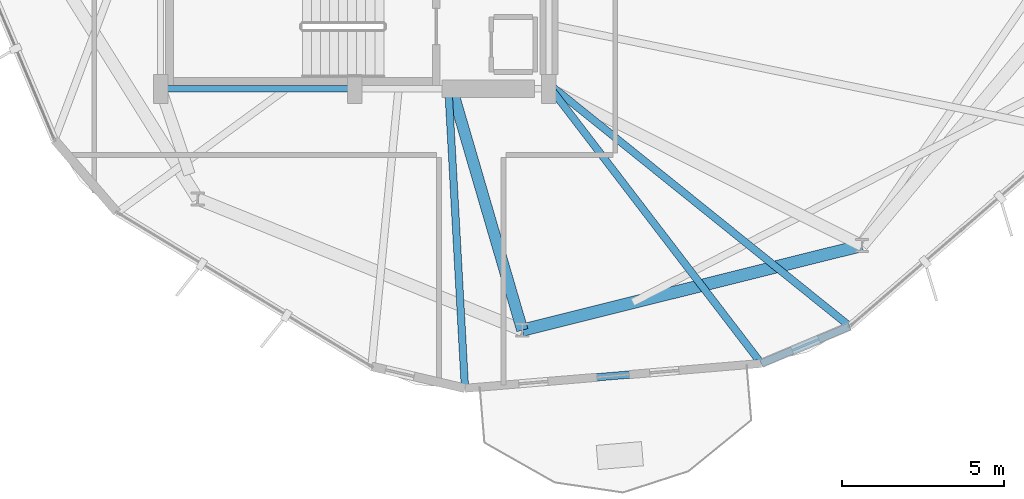
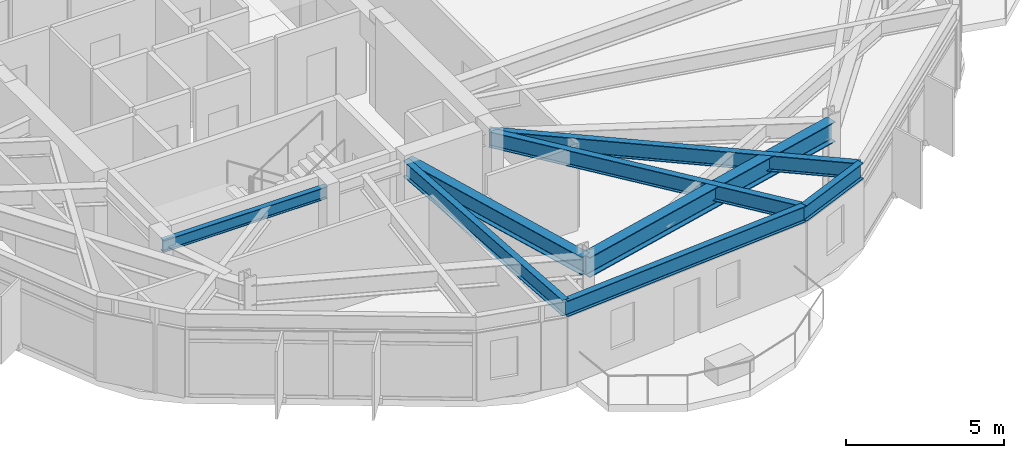
# One storey, part 4 of 27: 8 beams.
"""IFC4 building model written with IfcOpenShell, lengths in metres."""

from ifc_helpers import new_model, si_unit, direction, frame, origin, origin_2d, place, context, subcontext, project, spatial, i_section, extrude, material, material_profile, profile_set, type_object, element, save


model = new_model("IFC4")

# Units and contexts
model_context = context("Model", 3, precision=1e-05, world=origin(), true_north=direction((0.0, 1.0)))
body_context = subcontext(model_context, "Body", "Model", "MODEL_VIEW")
ifc_project = project(units=[si_unit("LENGTHUNIT", "METRE"), si_unit("AREAUNIT", "SQUARE_METRE"), si_unit("VOLUMEUNIT", "CUBIC_METRE"), si_unit("PLANEANGLEUNIT", "RADIAN"), si_unit("MASSUNIT", "GRAM", prefix="KILO")], contexts=[model_context])

# Site, building, storey
site_placement = place(None, origin())
site = spatial("IfcSite", under=ifc_project, at=site_placement, CompositionType="ELEMENT")
building_placement = place(site_placement, origin())
building = spatial("IfcBuilding", under=site, at=building_placement, Name="Soratama Intermodal Tower", CompositionType="ELEMENT")
storey_placement = place(building_placement, frame((0.0, 0.0, 182.199951171875)))
storey = spatial("IfcBuildingStorey", under=building, at=storey_placement, Name="L45", CompositionType="ELEMENT", Elevation=182.199951171875)

# Beams
ifc_material_1 = material(Name="Structural steel ASTM A992 Grade 50", Category="steel")
ifc_material_profile_1 = material_profile(ifc_material_1, i_section(OverallWidth=0.19091796875, OverallDepth=0.4599609375, WebThickness=0.010009765625, FlangeThickness=0.01611328125, FilletRadius=0.010986328125, at=origin_2d()), Name="W18X55")
ifc_profile_set_1 = profile_set([ifc_material_profile_1], Name="Structural steel ASTM A992 Grade 50")
beam_type_1 = type_object("IfcBeamType", Name="BM-FLR-W18X55", PredefinedType="BEAM", material=ifc_profile_set_1)
beam_1_placement = place(storey_placement, frame((32.60009765625, 15.0, 3.030029296875), z_axis=(1.0, 0.0, 0.0), x_axis=(0.0, 1.0, 0.0)))
element("IfcBeam", 1, at=beam_1_placement, inside=storey, type_object=beam_type_1, Name="BM-L45-CRING-01", PredefinedType="BEAM", context=body_context, shape_type="SweptSolid", body=[
    extrude(i_section(OverallWidth=0.19091796875, OverallDepth=0.4599609375, WebThickness=0.010009765625, FlangeThickness=0.01611328125, FilletRadius=0.010986328125, at=origin_2d()), origin(), (0.0, 0.0, 1.0), 6.0),
])
ifc_material_2 = material(Name="Structural steel ASTM A992 Grade 50", Category="steel")
ifc_material_profile_2 = material_profile(ifc_material_2, i_section(OverallWidth=0.35498046875, OverallDepth=0.695068359375, WebThickness=0.015380859375, FlangeThickness=0.02490234375, FilletRadius=0.01611328125, at=origin_2d()), Name="W27X146")
ifc_profile_set_2 = profile_set([ifc_material_profile_2], Name="Structural steel ASTM A992 Grade 50")
beam_type_2 = type_object("IfcBeamType", Name="BM-RING-W27X146", PredefinedType="BEAM", material=ifc_profile_set_2)
beam_2_placement = place(storey_placement, frame((41.60009765625, 15.0, 2.91259765625), z_axis=(0.280473008484, -0.959861912731, 0.0), x_axis=(0.959861912731, 0.280473008484, 0.0)))
element("IfcBeam", 2, at=beam_2_placement, inside=storey, type_object=beam_type_2, Name="BM-L45-RAD-08", PredefinedType="BEAM", context=body_context, shape_type="SweptSolid", body=[
    extrude(i_section(OverallWidth=0.35498046875, OverallDepth=0.695068359375, WebThickness=0.015380859375, FlangeThickness=0.02490234375, FilletRadius=0.01611328125, at=origin_2d()), origin(), (0.0, 0.0, 1.0), 7.768798828125),
])
ifc_material_3 = material(Name="Structural steel ASTM A992 Grade 50", Category="steel")
ifc_material_profile_3 = material_profile(ifc_material_3, i_section(OverallWidth=0.382080078125, OverallDepth=0.779052734375, WebThickness=0.01806640625, FlangeThickness=0.030029296875, FilletRadius=0.01806640625, at=origin_2d()), Name="W30X191")
ifc_profile_set_3 = profile_set([ifc_material_profile_3], Name="Structural steel ASTM A992 Grade 50")
beam_type_3 = type_object("IfcBeamType", Name="BM-RING-W30X191", PredefinedType="BEAM", material=ifc_profile_set_3)
beam_3_placement = place(storey_placement, frame((43.779052734375, 7.54296875, 2.87060546875), z_axis=(0.970310893227, 0.241861056155, 0.0), x_axis=(-0.241861056155, 0.970310893227, 0.0)))
element("IfcBeam", 3, at=beam_3_placement, inside=storey, type_object=beam_type_3, Name="BM-L45-RING-08", PredefinedType="BEAM", context=body_context, shape_type="SweptSolid", body=[
    extrude(i_section(OverallWidth=0.382080078125, OverallDepth=0.779052734375, WebThickness=0.01806640625, FlangeThickness=0.030029296875, FilletRadius=0.01806640625, at=origin_2d()), origin(), (0.0, 0.0, 1.0), 10.81591796875),
])
ifc_material_4 = material(Name="Structural steel ASTM A992 Grade 50", Category="steel")
ifc_material_profile_4 = material_profile(ifc_material_4, i_section(OverallWidth=0.22900390625, OverallDepth=0.612060546875, WebThickness=0.011962890625, FlangeThickness=0.01953125, FilletRadius=0.012939453125, at=origin_2d()), Name="W24X84")
ifc_profile_set_4 = profile_set([ifc_material_profile_4], Name="Structural steel ASTM A992 Grade 50")
beam_type_4 = type_object("IfcBeamType", Name="BM-SPN-W24X84", PredefinedType="SPANDREL", material=ifc_profile_set_4)
beam_4_placement = place(storey_placement, frame((42.007080078125, 5.742919921875, 2.9541015625), z_axis=(0.99649111956, 0.083698558158, 0.0), x_axis=(-0.083698558158, 0.99649111956, 0.0)))
element("IfcBeam", 4, at=beam_4_placement, inside=storey, type_object=beam_type_4, Name="BS-L45-F07", PredefinedType="SPANDREL", context=body_context, shape_type="SweptSolid", body=[
    extrude(i_section(OverallWidth=0.22900390625, OverallDepth=0.612060546875, WebThickness=0.011962890625, FlangeThickness=0.01953125, FilletRadius=0.012939453125, at=origin_2d()), origin(), (0.0, 0.0, 1.0), 9.188232421875),
])
beam_5_placement = place(storey_placement, frame((51.1630859375, 6.511962890625, 2.9541015625), z_axis=(0.921948017049, 0.387313637585, 0.0), x_axis=(-0.387313637585, 0.921948017049, 0.0)))
element("IfcBeam", 5, at=beam_5_placement, inside=storey, type_object=beam_type_4, Name="BS-L45-CRN07", PredefinedType="SPANDREL", context=body_context, shape_type="SweptSolid", body=[
    extrude(i_section(OverallWidth=0.22900390625, OverallDepth=0.612060546875, WebThickness=0.011962890625, FlangeThickness=0.01953125, FilletRadius=0.012939453125, at=origin_2d()), origin(), (0.0, 0.0, 1.0), 2.96630859375),
])
ifc_material_5 = material(Name="Structural steel ASTM A992 Grade 50", Category="steel")
ifc_material_profile_5 = material_profile(ifc_material_5, i_section(OverallWidth=0.22900390625, OverallDepth=0.612060546875, WebThickness=0.011962890625, FlangeThickness=0.01953125, FilletRadius=0.012939453125, at=origin_2d()), Name="W24X84")
ifc_profile_set_5 = profile_set([ifc_material_profile_5], Name="Structural steel ASTM A992 Grade 50")
beam_type_5 = type_object("IfcBeamType", Name="BM-TIE-W24X84", PredefinedType="BEAM", material=ifc_profile_set_5)
beam_6_placement = place(storey_placement, frame((41.4970703125, 14.9599609375, 2.9541015625), z_axis=(0.055248835752, -0.998472616624, 0.0), x_axis=(0.998472616624, 0.055248835752, 0.0)))
element("IfcBeam", 6, at=beam_6_placement, inside=storey, type_object=beam_type_5, Name="BM-L45-TIE0-07", PredefinedType="BEAM", context=body_context, shape_type="SweptSolid", body=[
    extrude(i_section(OverallWidth=0.22900390625, OverallDepth=0.612060546875, WebThickness=0.011962890625, FlangeThickness=0.01953125, FilletRadius=0.012939453125, at=origin_2d()), origin(), (0.0, 0.0, 1.0), 9.231201171875),
])
beam_7_placement = place(storey_placement, frame((44.6240234375, 15.052978515625, 2.9541015625), z_axis=(0.607901559644, -0.79401240153, 0.0), x_axis=(0.79401240153, 0.607901559644, 0.0)))
element("IfcBeam", 7, at=beam_7_placement, inside=storey, type_object=beam_type_5, Name="BM-L45-TIE1-07", PredefinedType="BEAM", context=body_context, shape_type="SweptSolid", body=[
    extrude(i_section(OverallWidth=0.22900390625, OverallDepth=0.612060546875, WebThickness=0.011962890625, FlangeThickness=0.01953125, FilletRadius=0.012939453125, at=origin_2d()), origin(), (0.0, 0.0, 1.0), 10.7568359375),
])
beam_8_placement = place(storey_placement, frame((44.631103515625, 15.12109375, 2.9541015625), z_axis=(0.778949093345, -0.627087162983, 0.0), x_axis=(0.627087162983, 0.778949093345, 0.0)))
element("IfcBeam", 8, at=beam_8_placement, inside=storey, type_object=beam_type_5, Name="BM-L45-TIE0-08", PredefinedType="BEAM", context=body_context, shape_type="SweptSolid", body=[
    extrude(i_section(OverallWidth=0.22900390625, OverallDepth=0.612060546875, WebThickness=0.011962890625, FlangeThickness=0.01953125, FilletRadius=0.012939453125, at=origin_2d()), origin(), (0.0, 0.0, 1.0), 11.896484375),
])

save(model, "model.ifc")
